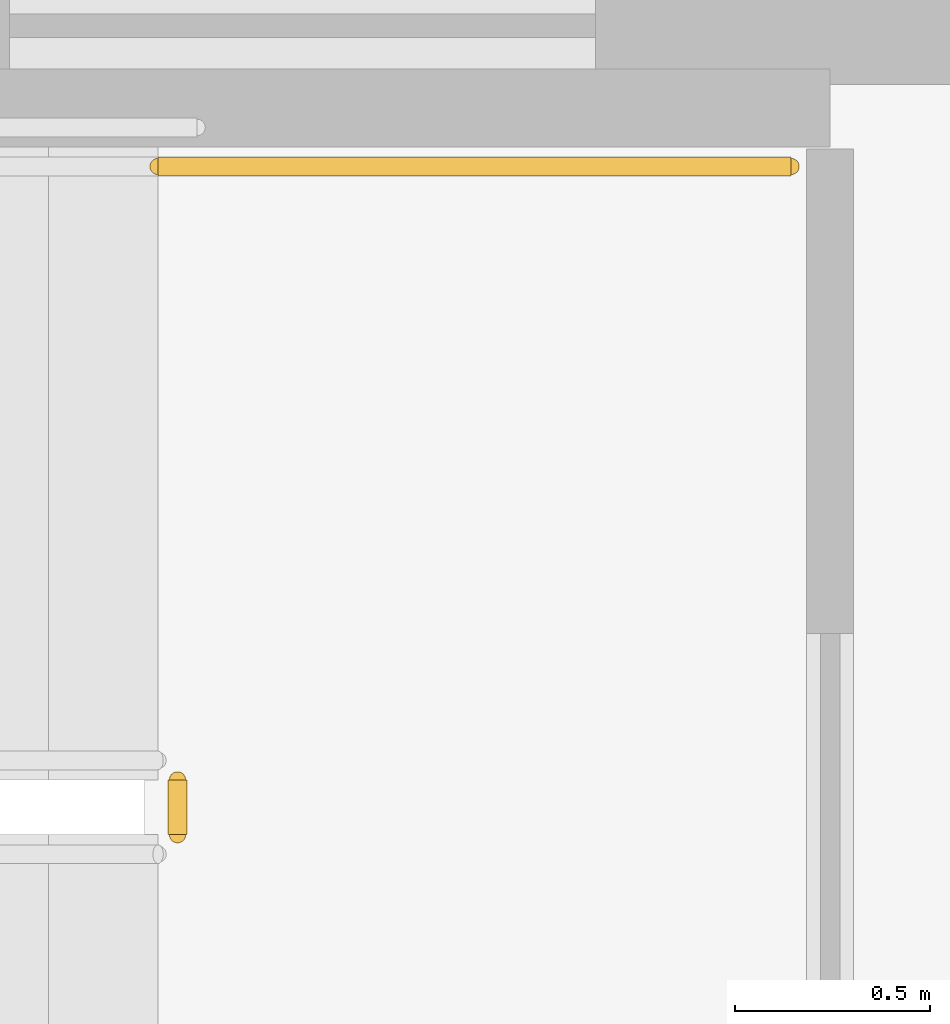
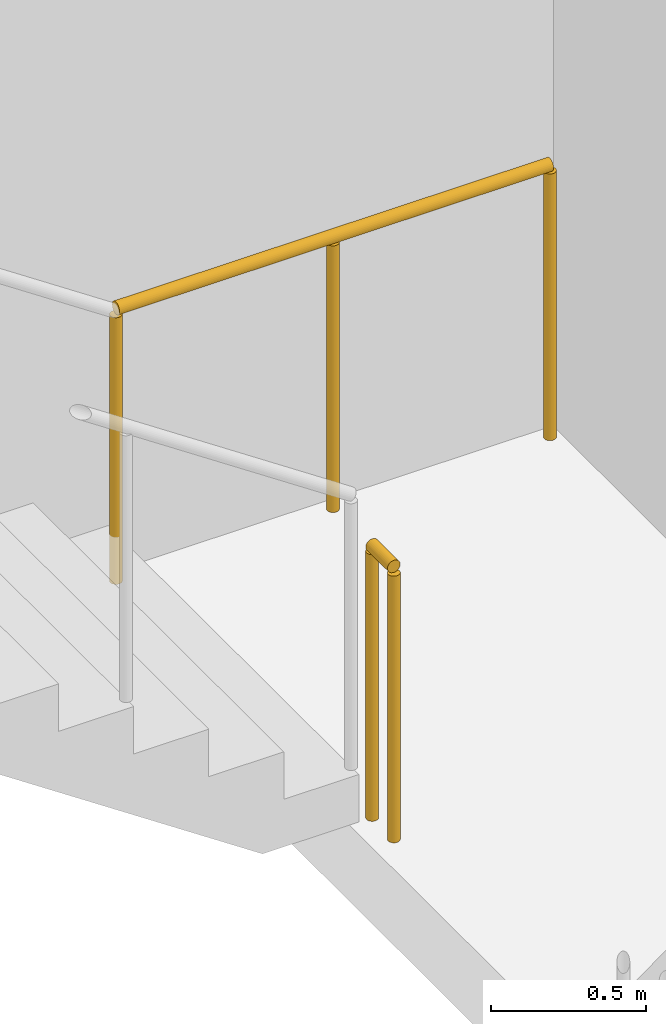
# One storey, part 28 of 28: 2 railings.
"""IFC4 building model written with IfcOpenShell, lengths in metres."""

import ifcopenshell
import ifcopenshell.guid

model = None  # the IFC model being written
_history = None  # IfcOwnerHistory: only IFC2X3 demands one
_inside = {}  # id of a spatial element -> (the spatial element, [elements in it])
_under = {}  # id of a project, library or spatial element -> (it, [spatial elements below it])
_declared = {}  # id of a project -> (the project, [libraries it declares])
_typed = {}  # id of a type object -> (the type object, [elements of that type])
_made_of = {}  # id of a material, layer set ... -> (it, [elements and type objects made of it])


def new_model(schema):
    """Start an empty IFC model of exactly this schema.

    Asked for "IFC4X3", IfcOpenShell would pick the latest addendum, in which some entities
    have other attributes; the version numbers below select the first issue.
    IFC2X3 requires an IfcOwnerHistory on every rooted entity: one is made here for all.
    """
    global model, _history
    if schema == "IFC4X3":
        model = ifcopenshell.file(schema_version=(4, 3, 0, 0))
    else:
        model = ifcopenshell.file(schema=schema)
    _inside.clear()
    _under.clear()
    _declared.clear()
    _typed.clear()
    _made_of.clear()
    _history = None
    if model.schema == "IFC2X3":
        org = make("IfcOrganization", Name="unknown")
        user = make(
            "IfcPersonAndOrganization",
            ThePerson=make("IfcPerson", FamilyName="unknown"),
            TheOrganization=org,
        )
        app = make(
            "IfcApplication",
            ApplicationDeveloper=org,
            Version="unknown",
            ApplicationFullName="unknown",
            ApplicationIdentifier="unknown",
        )
        _history = make(
            "IfcOwnerHistory",
            OwningUser=user,
            OwningApplication=app,
            ChangeAction="ADDED",
            CreationDate=0,
        )
    return model


def make(cls, **values):
    """One entity of the class cls with the attributes given. An attribute that is None is left unset."""
    return model.create_entity(
        cls, **{name: value for name, value in values.items() if value is not None}
    )


def rooted(cls, **values):
    """An entity with a GlobalId (a new one), such as an element, a storey or a relation."""
    return make(cls, GlobalId=ifcopenshell.guid.new(), OwnerHistory=_history, **values)


def si_unit(unit_type, name, prefix=None):
    """IfcSIUnit, for example si_unit("LENGTHUNIT", "METRE", prefix="MILLI")."""
    return make("IfcSIUnit", UnitType=unit_type, Prefix=prefix, Name=name)


def assignment(units):
    """IfcUnitAssignment: the units of a project."""
    return None if units is None else make("IfcUnitAssignment", Units=units)


def point(xyz):
    """IfcCartesianPoint."""
    return None if xyz is None else make("IfcCartesianPoint", Coordinates=xyz)


def direction(xyz):
    """IfcDirection."""
    return None if xyz is None else make("IfcDirection", DirectionRatios=xyz)


def frame(location, z_axis=None, x_axis=None):
    """IfcAxis2Placement3D, a coordinate frame: its origin and axes. An axis left out is left unset."""
    return make(
        "IfcAxis2Placement3D",
        Location=point(location),
        Axis=direction(z_axis),
        RefDirection=direction(x_axis),
    )


def frame_2d(location, x_axis=None):
    """IfcAxis2Placement2D, a coordinate frame in the plane: its origin and x axis."""
    return make(
        "IfcAxis2Placement2D", Location=point(location), RefDirection=direction(x_axis)
    )


def origin():
    """The frame at (0, 0, 0) with its axes left unset."""
    return frame((0.0, 0.0, 0.0))


def origin_2d():
    """The frame at (0, 0) in the plane with its x axis left unset."""
    return frame_2d((0.0, 0.0))


def place(relative_to, where):
    """IfcLocalPlacement: puts the frame where relative to a parent placement (None: the world)."""
    return make(
        "IfcLocalPlacement", PlacementRelTo=relative_to, RelativePlacement=where
    )


def context(
    kind, dimensions, precision=None, world=None, true_north=None, identifier=None
):
    """IfcGeometricRepresentationContext, for example the 3D "Model" context."""
    return make(
        "IfcGeometricRepresentationContext",
        ContextIdentifier=identifier,
        ContextType=kind,
        CoordinateSpaceDimension=dimensions,
        Precision=precision,
        WorldCoordinateSystem=world,
        TrueNorth=true_north,
    )


def subcontext(parent, identifier, kind, view, scale=None):
    """IfcGeometricRepresentationSubContext, for example "Body" below "Model"."""
    return make(
        "IfcGeometricRepresentationSubContext",
        ContextIdentifier=identifier,
        ContextType=kind,
        ParentContext=parent,
        TargetScale=scale,
        TargetView=view,
    )


def project(units=None, contexts=None):
    """IfcProject with its units and contexts."""
    return rooted(
        "IfcProject",
        Name="project",
        RepresentationContexts=contexts,
        UnitsInContext=assignment(units),
    )


def spatial(cls, under=None, at=None, **own):
    """A site, building, storey or space (cls), placed at a placement, below another one or the project."""
    s = rooted(cls, ObjectPlacement=at, **own)
    if under is not None:
        _under.setdefault(under.id(), (under, []))[1].append(s)
    return s


def profile(cls, at=None, kind="AREA", **sizes):
    """A parametric profile (cls). Its sizes go by their IFC names, for example OverallWidth=200.0."""
    return make(cls, ProfileType=kind, Position=at, **sizes)


def circle(**sizes):
    """IfcCircleProfileDef."""
    return profile("IfcCircleProfileDef", **sizes)


def extrude(swept, where, along, depth):
    """IfcExtrudedAreaSolid: the profile swept, set in the frame where, extruded along a direction by depth."""
    return make(
        "IfcExtrudedAreaSolid",
        SweptArea=swept,
        Position=where,
        ExtrudedDirection=direction(along),
        Depth=depth,
    )


def shape(context_of_items, identifier, shape_type, items):
    """IfcShapeRepresentation: the items that make up one representation, for example the "Body"."""
    return make(
        "IfcShapeRepresentation",
        ContextOfItems=context_of_items,
        RepresentationIdentifier=identifier,
        RepresentationType=shape_type,
        Items=items,
    )


def material(Name=None, Category=None):
    """IfcMaterial."""
    return make("IfcMaterial", Name=Name, Category=Category)


def layer(
    of_material, thickness, ventilated=None, Name=None, Category=None, Priority=None
):
    """IfcMaterialLayer: one layer of a wall or slab, of a material (None: an air gap)."""
    return make(
        "IfcMaterialLayer",
        Material=of_material,
        LayerThickness=thickness,
        IsVentilated=ventilated,
        Name=Name,
        Category=Category,
        Priority=Priority,
    )


def layer_set(layers, Name=None):
    """IfcMaterialLayerSet."""
    return make("IfcMaterialLayerSet", MaterialLayers=layers, LayerSetName=Name)


def made_of(thing, what):
    """Note that an element or type object is made of a material, layer set ...; save() writes the relation."""
    if what is not None:
        _made_of.setdefault(what.id(), (what, []))[1].append(thing)
    return thing


def type_object(cls, material=None, **own):
    """A type object (cls), such as IfcWallType, which elements share."""
    return made_of(rooted(cls, **own), material)


def element(
    cls,
    number,
    at=None,
    inside=None,
    cuts=None,
    type_object=None,
    material=None,
    context=None,
    identifier="Body",
    shape_type=None,
    held_by="IfcProductDefinitionShape",
    body=None,
    shapes=None,
    **own,
):
    """One element of the class cls, such as IfcWall. Its Tag is "e" and its number.

    at: its placement. inside: the storey or other place that contains it. cuts: it is an
    opening in that element (IfcRelVoidsElement). A single representation is given by context,
    identifier, shape_type and body (its items); several are given by shapes. held_by: the class
    of the entity that holds the representations. save() writes the other relations.
    """
    e = rooted(cls, Tag="e%d" % number, ObjectPlacement=at, **own)
    if body is not None:
        shapes = [shape(context, identifier, shape_type, body)]
    if shapes is not None:
        e.Representation = make(held_by, Representations=shapes)
    if inside is not None:
        _inside.setdefault(inside.id(), (inside, []))[1].append(e)
    if cuts is not None:
        rooted(
            "IfcRelVoidsElement", RelatingBuildingElement=cuts, RelatedOpeningElement=e
        )
    if type_object is not None:
        _typed.setdefault(type_object.id(), (type_object, []))[1].append(e)
    return made_of(e, material)


def aggregate(whole, parts):
    """IfcRelAggregates: a whole, such as a stair, and the parts it consists of."""
    return rooted("IfcRelAggregates", RelatingObject=whole, RelatedObjects=parts)


def save(model, path):
    """Write the relations noted so far, then the file.

    IfcRelAggregates (storeys below a building ...), IfcRelContainedInSpatialStructure (elements
    in a storey), IfcRelDefinesByType, IfcRelAssociatesMaterial and IfcRelDeclares: one each for
    every whole, place, type object, material and project.
    """
    for whole, parts in _under.values():
        aggregate(whole, parts)
    for where, things in _inside.values():
        rooted(
            "IfcRelContainedInSpatialStructure",
            RelatedElements=things,
            RelatingStructure=where,
        )
    for kind, things in _typed.values():
        rooted("IfcRelDefinesByType", RelatedObjects=things, RelatingType=kind)
    for what, things in _made_of.values():
        rooted("IfcRelAssociatesMaterial", RelatedObjects=things, RelatingMaterial=what)
    for by, libraries in _declared.values():
        rooted("IfcRelDeclares", RelatingContext=by, RelatedDefinitions=libraries)
    model.write(path)


model = new_model("IFC4")

# Units and contexts
model_context = context("Model", 3, precision=1e-05, world=origin(), true_north=direction((0.0, 1.0)))
body_context = subcontext(model_context, "Body", "Model", "MODEL_VIEW")
ifc_project = project(units=[si_unit("LENGTHUNIT", "METRE"), si_unit("AREAUNIT", "SQUARE_METRE"), si_unit("VOLUMEUNIT", "CUBIC_METRE"), si_unit("PLANEANGLEUNIT", "RADIAN"), si_unit("MASSUNIT", "GRAM", prefix="KILO")], contexts=[model_context])

# Site, building, storey
site_placement = place(None, origin())
site = spatial("IfcSite", under=ifc_project, at=site_placement, CompositionType="ELEMENT")
building_placement = place(site_placement, origin())
building = spatial("IfcBuilding", under=site, at=building_placement, Name="Ndaravel Arena Tower", CompositionType="ELEMENT")
storey_placement = place(building_placement, frame((0.0, 0.0, 18.0)))
storey = spatial("IfcBuildingStorey", under=building, at=storey_placement, Name="L03", CompositionType="ELEMENT", Elevation=18.0)

# Railings
ifc_material = material(Name="Steel S355", Category="steel")
ifc_layer = layer(ifc_material, 0.06005859375)
ifc_layer_set = layer_set([ifc_layer], Name="Steel S355")
railing_type = type_object("IfcRailingType", Name="RAIL-STAIR-GD1100", PredefinedType="GUARDRAIL", material=ifc_layer_set)
railing_1_placement = place(storey_placement, frame((69.1298828125, 45.52001953125, 0.0)))
element("IfcRailing", 1, at=railing_1_placement, inside=storey, type_object=railing_type, Name="L03 ST-A11 stair guard 4", PredefinedType="GUARDRAIL", context=body_context, shape_type="SweptSolid", body=[
    extrude(circle(Radius=0.02392578125, at=origin_2d()), frame((0.0, 0.0, 1.076171875), z_axis=(0.0, -1.0, 0.0), x_axis=(1.0, 0.0, 0.0)), (0.0, 0.0, 1.0), 0.14013671875),
    extrude(circle(Radius=0.02099609375, at=origin_2d()), origin(), (0.0, 0.0, 1.0), 1.052001953125),
    extrude(circle(Radius=0.02099609375, at=origin_2d()), frame((0.0, -0.14013671875, 0.0)), (0.0, 0.0, 1.0), 1.052001953125),
])
railing_2_placement = place(storey_placement, frame((70.699951171875, 47.090087890625, 0.0)))
element("IfcRailing", 2, at=railing_2_placement, inside=storey, type_object=railing_type, Name="L03 ST-A11 stair guard 5", PredefinedType="GUARDRAIL", context=body_context, shape_type="SweptSolid", body=[
    extrude(circle(Radius=0.02392578125, at=origin_2d()), frame((0.0, 0.0, 1.076171875), z_axis=(-1.0, 0.0, 0.0), x_axis=(0.0, -1.0, 0.0)), (0.0, 0.0, 1.0), 1.619873046875),
    extrude(circle(Radius=0.02099609375, at=origin_2d()), origin(), (0.0, 0.0, 1.0), 1.052001953125),
    extrude(circle(Radius=0.02099609375, at=origin_2d()), frame((-0.81005859375, 0.0, 0.0)), (0.0, 0.0, 1.0), 1.052001953125),
    extrude(circle(Radius=0.02099609375, at=origin_2d()), frame((-1.619873046875, 0.0, 0.0)), (0.0, 0.0, 1.0), 1.052001953125),
])

save(model, "model.ifc")
